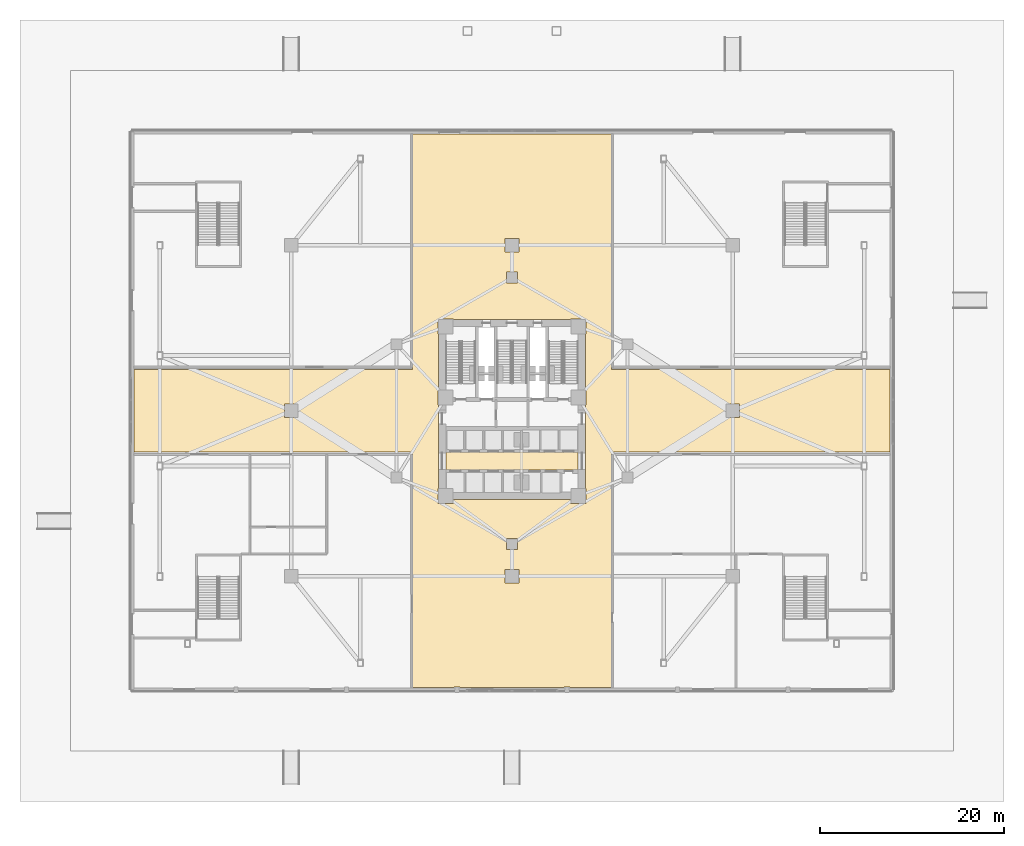
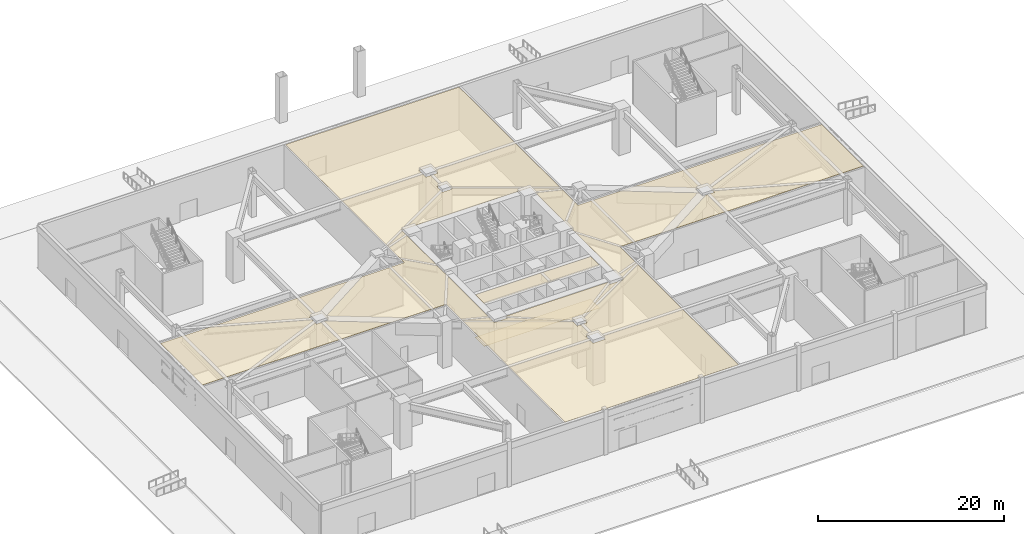
# One storey, part 18 of 24: 3 coverings.
"""IFC4 building model written with IfcOpenShell, lengths in metres."""

import ifcopenshell
import ifcopenshell.guid

model = None  # the IFC model being written
_history = None  # IfcOwnerHistory: only IFC2X3 demands one
_inside = {}  # id of a spatial element -> (the spatial element, [elements in it])
_under = {}  # id of a project, library or spatial element -> (it, [spatial elements below it])
_declared = {}  # id of a project -> (the project, [libraries it declares])
_typed = {}  # id of a type object -> (the type object, [elements of that type])
_made_of = {}  # id of a material, layer set ... -> (it, [elements and type objects made of it])


def new_model(schema):
    """Start an empty IFC model of exactly this schema.

    Asked for "IFC4X3", IfcOpenShell would pick the latest addendum, in which some entities
    have other attributes; the version numbers below select the first issue.
    IFC2X3 requires an IfcOwnerHistory on every rooted entity: one is made here for all.
    """
    global model, _history
    if schema == "IFC4X3":
        model = ifcopenshell.file(schema_version=(4, 3, 0, 0))
    else:
        model = ifcopenshell.file(schema=schema)
    _inside.clear()
    _under.clear()
    _declared.clear()
    _typed.clear()
    _made_of.clear()
    _history = None
    if model.schema == "IFC2X3":
        org = make("IfcOrganization", Name="unknown")
        user = make(
            "IfcPersonAndOrganization",
            ThePerson=make("IfcPerson", FamilyName="unknown"),
            TheOrganization=org,
        )
        app = make(
            "IfcApplication",
            ApplicationDeveloper=org,
            Version="unknown",
            ApplicationFullName="unknown",
            ApplicationIdentifier="unknown",
        )
        _history = make(
            "IfcOwnerHistory",
            OwningUser=user,
            OwningApplication=app,
            ChangeAction="ADDED",
            CreationDate=0,
        )
    return model


def make(cls, **values):
    """One entity of the class cls with the attributes given. An attribute that is None is left unset."""
    return model.create_entity(
        cls, **{name: value for name, value in values.items() if value is not None}
    )


def rooted(cls, **values):
    """An entity with a GlobalId (a new one), such as an element, a storey or a relation."""
    return make(cls, GlobalId=ifcopenshell.guid.new(), OwnerHistory=_history, **values)


def si_unit(unit_type, name, prefix=None):
    """IfcSIUnit, for example si_unit("LENGTHUNIT", "METRE", prefix="MILLI")."""
    return make("IfcSIUnit", UnitType=unit_type, Prefix=prefix, Name=name)


def assignment(units):
    """IfcUnitAssignment: the units of a project."""
    return None if units is None else make("IfcUnitAssignment", Units=units)


def point(xyz):
    """IfcCartesianPoint."""
    return None if xyz is None else make("IfcCartesianPoint", Coordinates=xyz)


def direction(xyz):
    """IfcDirection."""
    return None if xyz is None else make("IfcDirection", DirectionRatios=xyz)


def frame(location, z_axis=None, x_axis=None):
    """IfcAxis2Placement3D, a coordinate frame: its origin and axes. An axis left out is left unset."""
    return make(
        "IfcAxis2Placement3D",
        Location=point(location),
        Axis=direction(z_axis),
        RefDirection=direction(x_axis),
    )


def origin():
    """The frame at (0, 0, 0) with its axes left unset."""
    return frame((0.0, 0.0, 0.0))


def place(relative_to, where):
    """IfcLocalPlacement: puts the frame where relative to a parent placement (None: the world)."""
    return make(
        "IfcLocalPlacement", PlacementRelTo=relative_to, RelativePlacement=where
    )


def context(
    kind, dimensions, precision=None, world=None, true_north=None, identifier=None
):
    """IfcGeometricRepresentationContext, for example the 3D "Model" context."""
    return make(
        "IfcGeometricRepresentationContext",
        ContextIdentifier=identifier,
        ContextType=kind,
        CoordinateSpaceDimension=dimensions,
        Precision=precision,
        WorldCoordinateSystem=world,
        TrueNorth=true_north,
    )


def subcontext(parent, identifier, kind, view, scale=None):
    """IfcGeometricRepresentationSubContext, for example "Body" below "Model"."""
    return make(
        "IfcGeometricRepresentationSubContext",
        ContextIdentifier=identifier,
        ContextType=kind,
        ParentContext=parent,
        TargetScale=scale,
        TargetView=view,
    )


def project(units=None, contexts=None):
    """IfcProject with its units and contexts."""
    return rooted(
        "IfcProject",
        Name="project",
        RepresentationContexts=contexts,
        UnitsInContext=assignment(units),
    )


def spatial(cls, under=None, at=None, **own):
    """A site, building, storey or space (cls), placed at a placement, below another one or the project."""
    s = rooted(cls, ObjectPlacement=at, **own)
    if under is not None:
        _under.setdefault(under.id(), (under, []))[1].append(s)
    return s


def polyline(points):
    """IfcPolyline through the points."""
    return make("IfcPolyline", Points=[point(p) for p in points])


def outline(outer, holes=None, kind="AREA"):
    """IfcArbitraryClosedProfileDef: a profile drawn as a closed curve; with holes, ...WithVoids."""
    if holes is None:
        return make("IfcArbitraryClosedProfileDef", ProfileType=kind, OuterCurve=outer)
    return make(
        "IfcArbitraryProfileDefWithVoids",
        ProfileType=kind,
        OuterCurve=outer,
        InnerCurves=holes,
    )


def extrude(swept, where, along, depth):
    """IfcExtrudedAreaSolid: the profile swept, set in the frame where, extruded along a direction by depth."""
    return make(
        "IfcExtrudedAreaSolid",
        SweptArea=swept,
        Position=where,
        ExtrudedDirection=direction(along),
        Depth=depth,
    )


def shape(context_of_items, identifier, shape_type, items):
    """IfcShapeRepresentation: the items that make up one representation, for example the "Body"."""
    return make(
        "IfcShapeRepresentation",
        ContextOfItems=context_of_items,
        RepresentationIdentifier=identifier,
        RepresentationType=shape_type,
        Items=items,
    )


def material(Name=None, Category=None):
    """IfcMaterial."""
    return make("IfcMaterial", Name=Name, Category=Category)


def layer(
    of_material, thickness, ventilated=None, Name=None, Category=None, Priority=None
):
    """IfcMaterialLayer: one layer of a wall or slab, of a material (None: an air gap)."""
    return make(
        "IfcMaterialLayer",
        Material=of_material,
        LayerThickness=thickness,
        IsVentilated=ventilated,
        Name=Name,
        Category=Category,
        Priority=Priority,
    )


def layer_set(layers, Name=None):
    """IfcMaterialLayerSet."""
    return make("IfcMaterialLayerSet", MaterialLayers=layers, LayerSetName=Name)


def made_of(thing, what):
    """Note that an element or type object is made of a material, layer set ...; save() writes the relation."""
    if what is not None:
        _made_of.setdefault(what.id(), (what, []))[1].append(thing)
    return thing


def type_object(cls, material=None, **own):
    """A type object (cls), such as IfcWallType, which elements share."""
    return made_of(rooted(cls, **own), material)


def element(
    cls,
    number,
    at=None,
    inside=None,
    cuts=None,
    type_object=None,
    material=None,
    context=None,
    identifier="Body",
    shape_type=None,
    held_by="IfcProductDefinitionShape",
    body=None,
    shapes=None,
    **own,
):
    """One element of the class cls, such as IfcWall. Its Tag is "e" and its number.

    at: its placement. inside: the storey or other place that contains it. cuts: it is an
    opening in that element (IfcRelVoidsElement). A single representation is given by context,
    identifier, shape_type and body (its items); several are given by shapes. held_by: the class
    of the entity that holds the representations. save() writes the other relations.
    """
    e = rooted(cls, Tag="e%d" % number, ObjectPlacement=at, **own)
    if body is not None:
        shapes = [shape(context, identifier, shape_type, body)]
    if shapes is not None:
        e.Representation = make(held_by, Representations=shapes)
    if inside is not None:
        _inside.setdefault(inside.id(), (inside, []))[1].append(e)
    if cuts is not None:
        rooted(
            "IfcRelVoidsElement", RelatingBuildingElement=cuts, RelatedOpeningElement=e
        )
    if type_object is not None:
        _typed.setdefault(type_object.id(), (type_object, []))[1].append(e)
    return made_of(e, material)


def aggregate(whole, parts):
    """IfcRelAggregates: a whole, such as a stair, and the parts it consists of."""
    return rooted("IfcRelAggregates", RelatingObject=whole, RelatedObjects=parts)


def save(model, path):
    """Write the relations noted so far, then the file.

    IfcRelAggregates (storeys below a building ...), IfcRelContainedInSpatialStructure (elements
    in a storey), IfcRelDefinesByType, IfcRelAssociatesMaterial and IfcRelDeclares: one each for
    every whole, place, type object, material and project.
    """
    for whole, parts in _under.values():
        aggregate(whole, parts)
    for where, things in _inside.values():
        rooted(
            "IfcRelContainedInSpatialStructure",
            RelatedElements=things,
            RelatingStructure=where,
        )
    for kind, things in _typed.values():
        rooted("IfcRelDefinesByType", RelatedObjects=things, RelatingType=kind)
    for what, things in _made_of.values():
        rooted("IfcRelAssociatesMaterial", RelatedObjects=things, RelatingMaterial=what)
    for by, libraries in _declared.values():
        rooted("IfcRelDeclares", RelatingContext=by, RelatedDefinitions=libraries)
    model.write(path)


model = new_model("IFC4")

# Units and contexts
model_context = context("Model", 3, precision=1e-05, world=origin(), true_north=direction((0.0, 1.0)))
body_context = subcontext(model_context, "Body", "Model", "MODEL_VIEW")
ifc_project = project(units=[si_unit("LENGTHUNIT", "METRE"), si_unit("AREAUNIT", "SQUARE_METRE"), si_unit("VOLUMEUNIT", "CUBIC_METRE"), si_unit("PLANEANGLEUNIT", "RADIAN"), si_unit("MASSUNIT", "GRAM", prefix="KILO")], contexts=[model_context])

# Site, building, storey
site_placement = place(None, origin())
site = spatial("IfcSite", under=ifc_project, at=site_placement, CompositionType="ELEMENT")
building_placement = place(site_placement, origin())
building = spatial("IfcBuilding", under=site, at=building_placement, Name="Apsidion Concourse Tower", CompositionType="ELEMENT")
storey_placement = place(building_placement, origin())
storey = spatial("IfcBuildingStorey", under=building, at=storey_placement, Name="L00", CompositionType="ELEMENT", Elevation=0.0)

# Coverings
ifc_material_1 = material(Name="Acoustic mineral fibre ceiling")
ifc_layer_1 = layer(ifc_material_1, 0.0400390625)
ifc_layer_set_1 = layer_set([ifc_layer_1], Name="Acoustic mineral fibre ceiling")
covering_type_1 = type_object("IfcCoveringType", Name="COV-CEIL-40", PredefinedType="CEILING", material=ifc_layer_set_1)
covering_1_placement = place(storey_placement, frame((0.0, 0.0, 5.60009765625)))
element("IfcCovering", 1, at=covering_1_placement, inside=storey, type_object=covering_type_1, Name="L00 Acoustic Ceiling Grid 1", PredefinedType="CEILING", context=body_context, shape_type="SweptSolid", body=[
    extrude(outline(polyline([(-7.179931640625, -6.449951171875), (-7.179931640625, -4.47998046875), (7.179931640625, -4.47998046875), (7.179931640625, -6.449951171875), (-7.179931640625, -6.449951171875)])), origin(), (0.0, 0.0, 1.0), 0.039794921875),
])
covering_2_placement = place(storey_placement, frame((0.0, 0.0, 5.60009765625)))
element("IfcCovering", 2, at=covering_2_placement, inside=storey, type_object=covering_type_1, Name="L00 Acoustic Ceiling Grid 2", PredefinedType="CEILING", context=body_context, shape_type="SweptSolid", body=[
    extrude(outline(polyline([(-10.800048828125, 4.5), (-10.800048828125, 30.10498046875), (10.800048828125, 30.10498046875), (10.800048828125, 4.5), (41.10498046875, 4.5), (41.10498046875, -4.5), (10.800048828125, -4.5), (10.800048828125, -30.10498046875), (6.320068359375, -30.10498046875), (6.320068359375, -30.050048828125), (6.31982421875, -30.048095703125), (6.319580078125, -30.046142578125), (6.319091796875, -30.044189453125), (6.318603515625, -30.042236328125), (6.317626953125, -30.04052734375), (6.316650390625, -30.038818359375), (6.3154296875, -30.037353515625), (6.314208984375, -30.035888671875), (6.312744140625, -30.034423828125), (6.31103515625, -30.033447265625), (6.309326171875, -30.032470703125), (6.3076171875, -30.031494140625), (6.305908203125, -30.031005859375), (6.303955078125, -30.030517578125), (6.302001953125, -30.030029296875), (6.300048828125, -30.030029296875), (5.699951171875, -30.030029296875), (5.697998046875, -30.030029296875), (5.696044921875, -30.030517578125), (5.694091796875, -30.031005859375), (5.6923828125, -30.031494140625), (5.690673828125, -30.032470703125), (5.68896484375, -30.033447265625), (5.687255859375, -30.034423828125), (5.685791015625, -30.035888671875), (5.6845703125, -30.037353515625), (5.683349609375, -30.038818359375), (5.682373046875, -30.04052734375), (5.681396484375, -30.042236328125), (5.680908203125, -30.044189453125), (5.680419921875, -30.046142578125), (5.68017578125, -30.048095703125), (5.679931640625, -30.050048828125), (5.679931640625, -30.10498046875), (-5.679931640625, -30.10498046875), (-5.679931640625, -30.050048828125), (-5.68017578125, -30.048095703125), (-5.680419921875, -30.046142578125), (-5.680908203125, -30.044189453125), (-5.681396484375, -30.042236328125), (-5.682373046875, -30.04052734375), (-5.683349609375, -30.038818359375), (-5.6845703125, -30.037353515625), (-5.685791015625, -30.035888671875), (-5.687255859375, -30.034423828125), (-5.68896484375, -30.033447265625), (-5.690673828125, -30.032470703125), (-5.6923828125, -30.031494140625), (-5.694091796875, -30.031005859375), (-5.696044921875, -30.030517578125), (-5.697998046875, -30.030029296875), (-5.699951171875, -30.030029296875), (-6.300048828125, -30.030029296875), (-6.302001953125, -30.030029296875), (-6.303955078125, -30.030517578125), (-6.305908203125, -30.031005859375), (-6.3076171875, -30.031494140625), (-6.309326171875, -30.032470703125), (-6.31103515625, -30.033447265625), (-6.312744140625, -30.034423828125), (-6.314208984375, -30.035888671875), (-6.3154296875, -30.037353515625), (-6.316650390625, -30.038818359375), (-6.317626953125, -30.04052734375), (-6.318603515625, -30.042236328125), (-6.319091796875, -30.044189453125), (-6.319580078125, -30.046142578125), (-6.31982421875, -30.048095703125), (-6.320068359375, -30.050048828125), (-6.320068359375, -30.10498046875), (-10.800048828125, -30.10498046875), (-10.800048828125, -4.5), (-41.10498046875, -4.5), (-41.10498046875, 4.5), (-10.800048828125, 4.5)]), holes=[polyline([(-8.0, -8.429931640625), (-8.001953125, -8.43017578125), (-8.00390625, -8.430419921875), (-8.005859375, -8.430908203125), (-8.0078125, -8.431396484375), (-8.009521484375, -8.432373046875), (-8.010986328125, -8.433349609375), (-8.0126953125, -8.4345703125), (-8.01416015625, -8.435791015625), (-8.015380859375, -8.437255859375), (-8.0166015625, -8.43896484375), (-8.017578125, -8.440673828125), (-8.0185546875, -8.4423828125), (-8.01904296875, -8.444091796875), (-8.01953125, -8.446044921875), (-8.02001953125, -8.447998046875), (-8.02001953125, -8.449951171875), (-8.02001953125, -10.050048828125), (-8.02001953125, -10.052001953125), (-8.01953125, -10.053955078125), (-8.01904296875, -10.055908203125), (-8.0185546875, -10.0576171875), (-8.017578125, -10.059326171875), (-8.0166015625, -10.06103515625), (-8.015380859375, -10.062744140625), (-8.01416015625, -10.064208984375), (-8.0126953125, -10.0654296875), (-8.010986328125, -10.066650390625), (-8.009521484375, -10.067626953125), (-8.0078125, -10.068603515625), (-8.005859375, -10.069091796875), (-8.00390625, -10.069580078125), (-8.001953125, -10.06982421875), (-8.0, -10.070068359375), (-6.39990234375, -10.070068359375), (-6.39794921875, -10.06982421875), (-6.39599609375, -10.069580078125), (-6.394287109375, -10.069091796875), (-6.392333984375, -10.068603515625), (-6.390625, -10.067626953125), (-6.388916015625, -10.066650390625), (-6.38720703125, -10.0654296875), (-6.385986328125, -10.064208984375), (-6.384521484375, -10.062744140625), (-6.38330078125, -10.06103515625), (-6.38232421875, -10.059326171875), (-6.381591796875, -10.0576171875), (-6.380859375, -10.055908203125), (-6.38037109375, -10.053955078125), (-6.380126953125, -10.052001953125), (-6.3798828125, -10.050048828125), (-6.3798828125, -9.64990234375), (6.3798828125, -9.64990234375), (6.3798828125, -10.050048828125), (6.380126953125, -10.052001953125), (6.38037109375, -10.053955078125), (6.380859375, -10.055908203125), (6.381591796875, -10.0576171875), (6.38232421875, -10.059326171875), (6.38330078125, -10.06103515625), (6.384521484375, -10.062744140625), (6.385986328125, -10.064208984375), (6.38720703125, -10.0654296875), (6.388916015625, -10.066650390625), (6.390625, -10.067626953125), (6.392333984375, -10.068603515625), (6.394287109375, -10.069091796875), (6.39599609375, -10.069580078125), (6.39794921875, -10.06982421875), (6.39990234375, -10.070068359375), (8.0, -10.070068359375), (8.001953125, -10.06982421875), (8.00390625, -10.069580078125), (8.005859375, -10.069091796875), (8.0078125, -10.068603515625), (8.009521484375, -10.067626953125), (8.010986328125, -10.066650390625), (8.0126953125, -10.0654296875), (8.01416015625, -10.064208984375), (8.015380859375, -10.062744140625), (8.0166015625, -10.06103515625), (8.017578125, -10.059326171875), (8.0185546875, -10.0576171875), (8.01904296875, -10.055908203125), (8.01953125, -10.053955078125), (8.02001953125, -10.052001953125), (8.02001953125, -10.050048828125), (8.02001953125, -8.449951171875), (8.02001953125, -8.447998046875), (8.01953125, -8.446044921875), (8.01904296875, -8.444091796875), (8.0185546875, -8.4423828125), (8.017578125, -8.440673828125), (8.0166015625, -8.43896484375), (8.015380859375, -8.437255859375), (8.01416015625, -8.435791015625), (8.0126953125, -8.4345703125), (8.010986328125, -8.433349609375), (8.009521484375, -8.432373046875), (8.0078125, -8.431396484375), (8.005859375, -8.430908203125), (8.00390625, -8.430419921875), (8.001953125, -8.43017578125), (8.0, -8.429931640625), (8.0, -4.5), (8.0, 0.6298828125), (8.001953125, 0.630126953125), (8.00390625, 0.63037109375), (8.005859375, 0.630859375), (8.0078125, 0.631591796875), (8.009521484375, 0.63232421875), (8.010986328125, 0.63330078125), (8.0126953125, 0.634521484375), (8.01416015625, 0.635986328125), (8.015380859375, 0.63720703125), (8.0166015625, 0.638916015625), (8.017578125, 0.640625), (8.0185546875, 0.642333984375), (8.01904296875, 0.644287109375), (8.01953125, 0.64599609375), (8.02001953125, 0.64794921875), (8.02001953125, 0.64990234375), (8.02001953125, 2.25), (8.02001953125, 2.251953125), (8.01953125, 2.25390625), (8.01904296875, 2.255859375), (8.0185546875, 2.2578125), (8.017578125, 2.259521484375), (8.0166015625, 2.260986328125), (8.015380859375, 2.2626953125), (8.01416015625, 2.26416015625), (8.0126953125, 2.265380859375), (8.010986328125, 2.2666015625), (8.009521484375, 2.267578125), (8.0078125, 2.2685546875), (8.005859375, 2.26904296875), (8.00390625, 2.26953125), (8.001953125, 2.27001953125), (8.0, 2.27001953125), (8.0, 4.5), (8.0, 8.330078125), (8.001953125, 8.330078125), (8.00390625, 8.330322265625), (8.005859375, 8.330810546875), (8.0078125, 8.33154296875), (8.009521484375, 8.33251953125), (8.010986328125, 8.33349609375), (8.0126953125, 8.33447265625), (8.01416015625, 8.3359375), (8.015380859375, 8.33740234375), (8.0166015625, 8.3388671875), (8.017578125, 8.340576171875), (8.0185546875, 8.34228515625), (8.01904296875, 8.34423828125), (8.01953125, 8.34619140625), (8.02001953125, 8.347900390625), (8.02001953125, 8.35009765625), (8.02001953125, 9.949951171875), (8.02001953125, 9.951904296875), (8.01953125, 9.953857421875), (8.01904296875, 9.955810546875), (8.0185546875, 9.957763671875), (8.017578125, 9.95947265625), (8.0166015625, 9.961181640625), (8.015380859375, 9.962646484375), (8.01416015625, 9.964111328125), (8.0126953125, 9.965576171875), (8.010986328125, 9.966552734375), (8.009521484375, 9.967529296875), (8.0078125, 9.968505859375), (8.005859375, 9.968994140625), (8.00390625, 9.969482421875), (8.001953125, 9.969970703125), (8.0, 9.969970703125), (6.39990234375, 9.969970703125), (6.39794921875, 9.969970703125), (6.39599609375, 9.969482421875), (6.394287109375, 9.968994140625), (6.392333984375, 9.968505859375), (6.390625, 9.967529296875), (6.388916015625, 9.966552734375), (6.38720703125, 9.965576171875), (6.385986328125, 9.964111328125), (6.384521484375, 9.962646484375), (6.38330078125, 9.961181640625), (6.38232421875, 9.95947265625), (6.381591796875, 9.957763671875), (6.380859375, 9.955810546875), (6.38037109375, 9.953857421875), (6.380126953125, 9.951904296875), (6.3798828125, 9.949951171875), (6.3798828125, 9.949951171875), (-6.3798828125, 9.949951171875), (-6.3798828125, 9.949951171875), (-6.380126953125, 9.951904296875), (-6.38037109375, 9.953857421875), (-6.380859375, 9.955810546875), (-6.381591796875, 9.957763671875), (-6.38232421875, 9.95947265625), (-6.38330078125, 9.961181640625), (-6.384521484375, 9.962646484375), (-6.385986328125, 9.964111328125), (-6.38720703125, 9.965576171875), (-6.388916015625, 9.966552734375), (-6.390625, 9.967529296875), (-6.392333984375, 9.968505859375), (-6.394287109375, 9.968994140625), (-6.39599609375, 9.969482421875), (-6.39794921875, 9.969970703125), (-6.39990234375, 9.969970703125), (-8.0, 9.969970703125), (-8.001953125, 9.969970703125), (-8.00390625, 9.969482421875), (-8.005859375, 9.968994140625), (-8.0078125, 9.968505859375), (-8.009521484375, 9.967529296875), (-8.010986328125, 9.966552734375), (-8.0126953125, 9.965576171875), (-8.01416015625, 9.964111328125), (-8.015380859375, 9.962646484375), (-8.0166015625, 9.961181640625), (-8.017578125, 9.95947265625), (-8.0185546875, 9.957763671875), (-8.01904296875, 9.955810546875), (-8.01953125, 9.953857421875), (-8.02001953125, 9.951904296875), (-8.02001953125, 9.949951171875), (-8.02001953125, 8.35009765625), (-8.02001953125, 8.347900390625), (-8.01953125, 8.34619140625), (-8.01904296875, 8.34423828125), (-8.0185546875, 8.34228515625), (-8.017578125, 8.340576171875), (-8.0166015625, 8.3388671875), (-8.015380859375, 8.33740234375), (-8.01416015625, 8.3359375), (-8.0126953125, 8.33447265625), (-8.010986328125, 8.33349609375), (-8.009521484375, 8.33251953125), (-8.0078125, 8.33154296875), (-8.005859375, 8.330810546875), (-8.00390625, 8.330322265625), (-8.001953125, 8.330078125), (-8.0, 8.330078125), (-8.0, 4.5), (-8.0, 2.27001953125), (-8.001953125, 2.27001953125), (-8.00390625, 2.26953125), (-8.005859375, 2.26904296875), (-8.0078125, 2.2685546875), (-8.009521484375, 2.267578125), (-8.010986328125, 2.2666015625), (-8.0126953125, 2.265380859375), (-8.01416015625, 2.26416015625), (-8.015380859375, 2.2626953125), (-8.0166015625, 2.260986328125), (-8.017578125, 2.259521484375), (-8.0185546875, 2.2578125), (-8.01904296875, 2.255859375), (-8.01953125, 2.25390625), (-8.02001953125, 2.251953125), (-8.02001953125, 2.25), (-8.02001953125, 0.64990234375), (-8.02001953125, 0.64794921875), (-8.01953125, 0.64599609375), (-8.01904296875, 0.644287109375), (-8.0185546875, 0.642333984375), (-8.017578125, 0.640625), (-8.0166015625, 0.638916015625), (-8.015380859375, 0.63720703125), (-8.01416015625, 0.635986328125), (-8.0126953125, 0.634521484375), (-8.010986328125, 0.63330078125), (-8.009521484375, 0.63232421875), (-8.0078125, 0.631591796875), (-8.005859375, 0.630859375), (-8.00390625, 0.63037109375), (-8.001953125, 0.630126953125), (-8.0, 0.6298828125), (-8.0, -4.5), (-8.0, -8.429931640625)]), polyline([(-24.730712890625, -0.744140625), (-24.72900390625, -0.74462890625), (-24.72705078125, -0.744873046875), (-24.72509765625, -0.7451171875), (-23.27490234375, -0.7451171875), (-23.27294921875, -0.744873046875), (-23.27099609375, -0.74462890625), (-23.269287109375, -0.744140625), (-23.267333984375, -0.743408203125), (-23.265625, -0.74267578125), (-23.263916015625, -0.74169921875), (-23.26220703125, -0.740478515625), (-23.260986328125, -0.739013671875), (-23.259521484375, -0.73779296875), (-23.25830078125, -0.736083984375), (-23.25732421875, -0.734375), (-23.256591796875, -0.732666015625), (-23.255859375, -0.730712890625), (-23.25537109375, -0.72900390625), (-23.255126953125, -0.72705078125), (-23.2548828125, -0.72509765625), (-23.2548828125, 0.72509765625), (-23.255126953125, 0.72705078125), (-23.25537109375, 0.72900390625), (-23.255859375, 0.730712890625), (-23.256591796875, 0.732666015625), (-23.25732421875, 0.734375), (-23.25830078125, 0.736083984375), (-23.259521484375, 0.73779296875), (-23.260986328125, 0.739013671875), (-23.26220703125, 0.740478515625), (-23.263916015625, 0.74169921875), (-23.265625, 0.74267578125), (-23.267333984375, 0.743408203125), (-23.269287109375, 0.744140625), (-23.27099609375, 0.74462890625), (-23.27294921875, 0.744873046875), (-23.27490234375, 0.7451171875), (-24.72509765625, 0.7451171875), (-24.72705078125, 0.744873046875), (-24.72900390625, 0.74462890625), (-24.730712890625, 0.744140625), (-24.732666015625, 0.743408203125), (-24.734375, 0.74267578125), (-24.736083984375, 0.74169921875), (-24.73779296875, 0.740478515625), (-24.739013671875, 0.739013671875), (-24.740478515625, 0.73779296875), (-24.74169921875, 0.736083984375), (-24.74267578125, 0.734375), (-24.743408203125, 0.732666015625), (-24.744140625, 0.730712890625), (-24.74462890625, 0.72900390625), (-24.744873046875, 0.72705078125), (-24.7451171875, 0.72509765625), (-24.7451171875, -0.72509765625), (-24.744873046875, -0.72705078125), (-24.74462890625, -0.72900390625), (-24.744140625, -0.730712890625), (-24.743408203125, -0.732666015625), (-24.74267578125, -0.734375), (-24.74169921875, -0.736083984375), (-24.740478515625, -0.73779296875), (-24.739013671875, -0.739013671875), (-24.73779296875, -0.740478515625), (-24.736083984375, -0.74169921875), (-24.734375, -0.74267578125), (-24.732666015625, -0.743408203125), (-24.730712890625, -0.744140625)]), polyline([(-0.730712890625, -18.744140625), (-0.72900390625, -18.74462890625), (-0.72705078125, -18.744873046875), (-0.72509765625, -18.7451171875), (0.72509765625, -18.7451171875), (0.72705078125, -18.744873046875), (0.72900390625, -18.74462890625), (0.730712890625, -18.744140625), (0.732666015625, -18.743408203125), (0.734375, -18.74267578125), (0.736083984375, -18.74169921875), (0.73779296875, -18.740478515625), (0.739013671875, -18.739013671875), (0.740478515625, -18.73779296875), (0.74169921875, -18.736083984375), (0.74267578125, -18.734375), (0.743408203125, -18.732666015625), (0.744140625, -18.730712890625), (0.74462890625, -18.72900390625), (0.744873046875, -18.72705078125), (0.7451171875, -18.72509765625), (0.7451171875, -17.27490234375), (0.744873046875, -17.27294921875), (0.74462890625, -17.27099609375), (0.744140625, -17.269287109375), (0.743408203125, -17.267333984375), (0.74267578125, -17.265625), (0.74169921875, -17.263916015625), (0.740478515625, -17.26220703125), (0.739013671875, -17.260986328125), (0.73779296875, -17.259521484375), (0.736083984375, -17.25830078125), (0.734375, -17.25732421875), (0.732666015625, -17.256591796875), (0.730712890625, -17.255859375), (0.72900390625, -17.25537109375), (0.72705078125, -17.255126953125), (0.72509765625, -17.2548828125), (-0.72509765625, -17.2548828125), (-0.72705078125, -17.255126953125), (-0.72900390625, -17.25537109375), (-0.730712890625, -17.255859375), (-0.732666015625, -17.256591796875), (-0.734375, -17.25732421875), (-0.736083984375, -17.25830078125), (-0.73779296875, -17.259521484375), (-0.739013671875, -17.260986328125), (-0.740478515625, -17.26220703125), (-0.74169921875, -17.263916015625), (-0.74267578125, -17.265625), (-0.743408203125, -17.267333984375), (-0.744140625, -17.269287109375), (-0.74462890625, -17.27099609375), (-0.744873046875, -17.27294921875), (-0.7451171875, -17.27490234375), (-0.7451171875, -18.72509765625), (-0.744873046875, -18.72705078125), (-0.74462890625, -18.72900390625), (-0.744140625, -18.730712890625), (-0.743408203125, -18.732666015625), (-0.74267578125, -18.734375), (-0.74169921875, -18.736083984375), (-0.740478515625, -18.73779296875), (-0.739013671875, -18.739013671875), (-0.73779296875, -18.740478515625), (-0.736083984375, -18.74169921875), (-0.734375, -18.74267578125), (-0.732666015625, -18.743408203125), (-0.730712890625, -18.744140625)]), polyline([(-0.582763671875, -15.093505859375), (-0.580810546875, -15.093994140625), (-0.578857421875, -15.094482421875), (-0.576904296875, -15.094970703125), (-0.574951171875, -15.094970703125), (0.574951171875, -15.094970703125), (0.576904296875, -15.094970703125), (0.578857421875, -15.094482421875), (0.580810546875, -15.093994140625), (0.582763671875, -15.093505859375), (0.58447265625, -15.092529296875), (0.586181640625, -15.091552734375), (0.587646484375, -15.090576171875), (0.589111328125, -15.089111328125), (0.590576171875, -15.087646484375), (0.591552734375, -15.086181640625), (0.592529296875, -15.08447265625), (0.593505859375, -15.082763671875), (0.593994140625, -15.080810546875), (0.594482421875, -15.078857421875), (0.594970703125, -15.076904296875), (0.594970703125, -15.074951171875), (0.594970703125, -13.925048828125), (0.594970703125, -13.923095703125), (0.594482421875, -13.921142578125), (0.593994140625, -13.919189453125), (0.593505859375, -13.917236328125), (0.592529296875, -13.91552734375), (0.591552734375, -13.913818359375), (0.590576171875, -13.912353515625), (0.589111328125, -13.910888671875), (0.587646484375, -13.909423828125), (0.586181640625, -13.908447265625), (0.58447265625, -13.907470703125), (0.582763671875, -13.906494140625), (0.580810546875, -13.906005859375), (0.578857421875, -13.905517578125), (0.576904296875, -13.905029296875), (0.574951171875, -13.905029296875), (-0.574951171875, -13.905029296875), (-0.576904296875, -13.905029296875), (-0.578857421875, -13.905517578125), (-0.580810546875, -13.906005859375), (-0.582763671875, -13.906494140625), (-0.58447265625, -13.907470703125), (-0.586181640625, -13.908447265625), (-0.587646484375, -13.909423828125), (-0.589111328125, -13.910888671875), (-0.590576171875, -13.912353515625), (-0.591552734375, -13.913818359375), (-0.592529296875, -13.91552734375), (-0.593505859375, -13.917236328125), (-0.593994140625, -13.919189453125), (-0.594482421875, -13.921142578125), (-0.594970703125, -13.923095703125), (-0.594970703125, -13.925048828125), (-0.594970703125, -15.074951171875), (-0.594970703125, -15.076904296875), (-0.594482421875, -15.078857421875), (-0.593994140625, -15.080810546875), (-0.593505859375, -15.082763671875), (-0.592529296875, -15.08447265625), (-0.591552734375, -15.086181640625), (-0.590576171875, -15.087646484375), (-0.589111328125, -15.089111328125), (-0.587646484375, -15.090576171875), (-0.586181640625, -15.091552734375), (-0.58447265625, -15.092529296875), (-0.582763671875, -15.093505859375)]), polyline([(-0.582763671875, 13.906494140625), (-0.580810546875, 13.906005859375), (-0.578857421875, 13.905517578125), (-0.576904296875, 13.905029296875), (-0.574951171875, 13.905029296875), (0.574951171875, 13.905029296875), (0.576904296875, 13.905029296875), (0.578857421875, 13.905517578125), (0.580810546875, 13.906005859375), (0.582763671875, 13.906494140625), (0.58447265625, 13.907470703125), (0.586181640625, 13.908447265625), (0.587646484375, 13.909423828125), (0.589111328125, 13.910888671875), (0.590576171875, 13.912353515625), (0.591552734375, 13.913818359375), (0.592529296875, 13.91552734375), (0.593505859375, 13.917236328125), (0.593994140625, 13.919189453125), (0.594482421875, 13.921142578125), (0.594970703125, 13.923095703125), (0.594970703125, 13.925048828125), (0.594970703125, 15.074951171875), (0.594970703125, 15.076904296875), (0.594482421875, 15.078857421875), (0.593994140625, 15.080810546875), (0.593505859375, 15.082763671875), (0.592529296875, 15.08447265625), (0.591552734375, 15.086181640625), (0.590576171875, 15.087646484375), (0.589111328125, 15.089111328125), (0.587646484375, 15.090576171875), (0.586181640625, 15.091552734375), (0.58447265625, 15.092529296875), (0.582763671875, 15.093505859375), (0.580810546875, 15.093994140625), (0.578857421875, 15.094482421875), (0.576904296875, 15.094970703125), (0.574951171875, 15.094970703125), (-0.574951171875, 15.094970703125), (-0.576904296875, 15.094970703125), (-0.578857421875, 15.094482421875), (-0.580810546875, 15.093994140625), (-0.582763671875, 15.093505859375), (-0.58447265625, 15.092529296875), (-0.586181640625, 15.091552734375), (-0.587646484375, 15.090576171875), (-0.589111328125, 15.089111328125), (-0.590576171875, 15.087646484375), (-0.591552734375, 15.086181640625), (-0.592529296875, 15.08447265625), (-0.593505859375, 15.082763671875), (-0.593994140625, 15.080810546875), (-0.594482421875, 15.078857421875), (-0.594970703125, 15.076904296875), (-0.594970703125, 15.074951171875), (-0.594970703125, 13.925048828125), (-0.594970703125, 13.923095703125), (-0.594482421875, 13.921142578125), (-0.593994140625, 13.919189453125), (-0.593505859375, 13.917236328125), (-0.592529296875, 13.91552734375), (-0.591552734375, 13.913818359375), (-0.590576171875, 13.912353515625), (-0.589111328125, 13.910888671875), (-0.587646484375, 13.909423828125), (-0.586181640625, 13.908447265625), (-0.58447265625, 13.907470703125), (-0.582763671875, 13.906494140625)]), polyline([(-0.732666015625, 17.256591796875), (-0.730712890625, 17.255859375), (-0.72900390625, 17.25537109375), (-0.72705078125, 17.255126953125), (-0.72509765625, 17.2548828125), (0.72509765625, 17.2548828125), (0.72705078125, 17.255126953125), (0.72900390625, 17.25537109375), (0.730712890625, 17.255859375), (0.732666015625, 17.256591796875), (0.734375, 17.25732421875), (0.736083984375, 17.25830078125), (0.73779296875, 17.259521484375), (0.739013671875, 17.260986328125), (0.740478515625, 17.26220703125), (0.74169921875, 17.263916015625), (0.74267578125, 17.265625), (0.743408203125, 17.267333984375), (0.744140625, 17.269287109375), (0.74462890625, 17.27099609375), (0.744873046875, 17.27294921875), (0.7451171875, 17.27490234375), (0.7451171875, 18.72509765625), (0.744873046875, 18.72705078125), (0.74462890625, 18.72900390625), (0.744140625, 18.730712890625), (0.743408203125, 18.732666015625), (0.74267578125, 18.734375), (0.74169921875, 18.736083984375), (0.740478515625, 18.73779296875), (0.739013671875, 18.739013671875), (0.73779296875, 18.740478515625), (0.736083984375, 18.74169921875), (0.734375, 18.74267578125), (0.732666015625, 18.743408203125), (0.730712890625, 18.744140625), (0.72900390625, 18.74462890625), (0.72705078125, 18.744873046875), (0.72509765625, 18.7451171875), (-0.72509765625, 18.7451171875), (-0.72705078125, 18.744873046875), (-0.72900390625, 18.74462890625), (-0.730712890625, 18.744140625), (-0.732666015625, 18.743408203125), (-0.734375, 18.74267578125), (-0.736083984375, 18.74169921875), (-0.73779296875, 18.740478515625), (-0.739013671875, 18.739013671875), (-0.740478515625, 18.73779296875), (-0.74169921875, 18.736083984375), (-0.74267578125, 18.734375), (-0.743408203125, 18.732666015625), (-0.744140625, 18.730712890625), (-0.74462890625, 18.72900390625), (-0.744873046875, 18.72705078125), (-0.7451171875, 18.72509765625), (-0.7451171875, 17.27490234375), (-0.744873046875, 17.27294921875), (-0.74462890625, 17.27099609375), (-0.744140625, 17.269287109375), (-0.743408203125, 17.267333984375), (-0.74267578125, 17.265625), (-0.74169921875, 17.263916015625), (-0.740478515625, 17.26220703125), (-0.739013671875, 17.260986328125), (-0.73779296875, 17.259521484375), (-0.736083984375, 17.25830078125), (-0.734375, 17.25732421875), (-0.732666015625, 17.256591796875)]), polyline([(23.267333984375, -0.743408203125), (23.269287109375, -0.744140625), (23.27099609375, -0.74462890625), (23.27294921875, -0.744873046875), (23.27490234375, -0.7451171875), (24.72509765625, -0.7451171875), (24.72705078125, -0.744873046875), (24.72900390625, -0.74462890625), (24.730712890625, -0.744140625), (24.732666015625, -0.743408203125), (24.734375, -0.74267578125), (24.736083984375, -0.74169921875), (24.73779296875, -0.740478515625), (24.739013671875, -0.739013671875), (24.740478515625, -0.73779296875), (24.74169921875, -0.736083984375), (24.74267578125, -0.734375), (24.743408203125, -0.732666015625), (24.744140625, -0.730712890625), (24.74462890625, -0.72900390625), (24.744873046875, -0.72705078125), (24.7451171875, -0.72509765625), (24.7451171875, 0.72509765625), (24.744873046875, 0.72705078125), (24.74462890625, 0.72900390625), (24.744140625, 0.730712890625), (24.743408203125, 0.732666015625), (24.74267578125, 0.734375), (24.74169921875, 0.736083984375), (24.740478515625, 0.73779296875), (24.739013671875, 0.739013671875), (24.73779296875, 0.740478515625), (24.736083984375, 0.74169921875), (24.734375, 0.74267578125), (24.732666015625, 0.743408203125), (24.730712890625, 0.744140625), (24.72900390625, 0.74462890625), (24.72705078125, 0.744873046875), (24.72509765625, 0.7451171875), (23.27490234375, 0.7451171875), (23.27294921875, 0.744873046875), (23.27099609375, 0.74462890625), (23.269287109375, 0.744140625), (23.267333984375, 0.743408203125), (23.265625, 0.74267578125), (23.263916015625, 0.74169921875), (23.26220703125, 0.740478515625), (23.260986328125, 0.739013671875), (23.259521484375, 0.73779296875), (23.25830078125, 0.736083984375), (23.25732421875, 0.734375), (23.256591796875, 0.732666015625), (23.255859375, 0.730712890625), (23.25537109375, 0.72900390625), (23.255126953125, 0.72705078125), (23.2548828125, 0.72509765625), (23.2548828125, -0.72509765625), (23.255126953125, -0.72705078125), (23.25537109375, -0.72900390625), (23.255859375, -0.730712890625), (23.256591796875, -0.732666015625), (23.25732421875, -0.734375), (23.25830078125, -0.736083984375), (23.259521484375, -0.73779296875), (23.260986328125, -0.739013671875), (23.26220703125, -0.740478515625), (23.263916015625, -0.74169921875), (23.265625, -0.74267578125), (23.267333984375, -0.743408203125)])]), origin(), (0.0, 0.0, 1.0), 0.039794921875),
])
ifc_material_2 = material(Name="Honed travertine floor finish", Category="masonry")
ifc_layer_2 = layer(ifc_material_2, 0.02001953125)
ifc_layer_set_2 = layer_set([ifc_layer_2], Name="Honed travertine floor finish")
covering_type_2 = type_object("IfcCoveringType", Name="COV-FLOR-20", PredefinedType="FLOORING", material=ifc_layer_set_2)
covering_3_placement = place(storey_placement, origin())
element("IfcCovering", 3, at=covering_3_placement, inside=storey, type_object=covering_type_2, Name="L00 Honed Travertine Floor Finish 1", PredefinedType="FLOORING", context=body_context, shape_type="SweptSolid", body=[
    extrude(outline(polyline([(-7.179931640625, -6.449951171875), (-7.179931640625, -4.47998046875), (7.179931640625, -4.47998046875), (7.179931640625, -6.449951171875), (-7.179931640625, -6.449951171875)])), origin(), (0.0, 0.0, 1.0), 0.02001953125),
])

save(model, "model.ifc")
